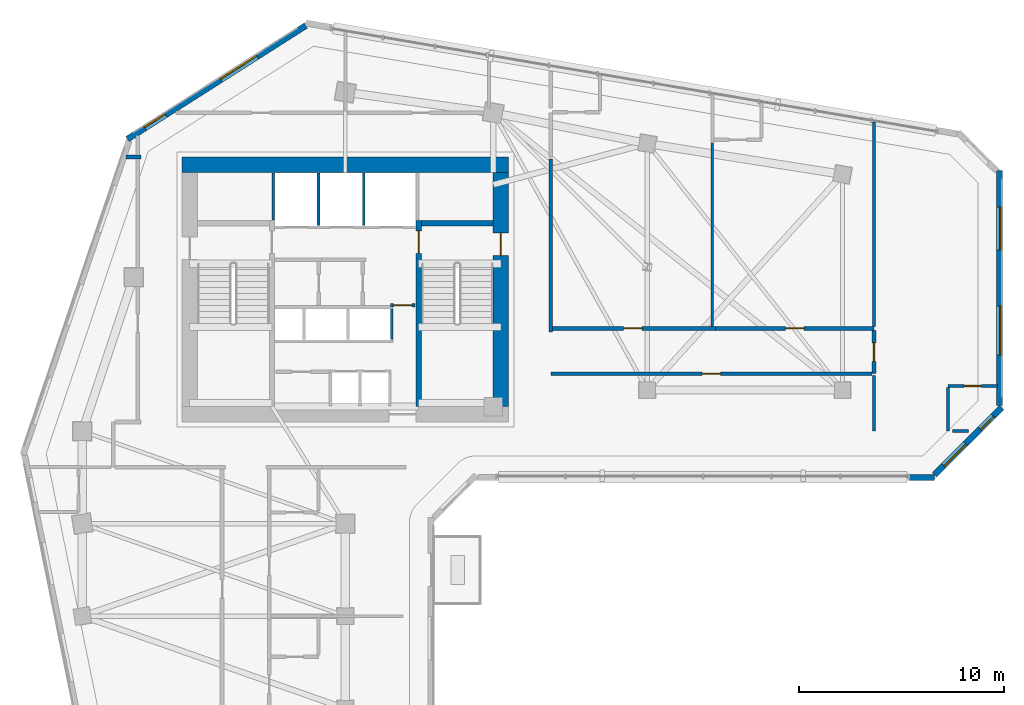
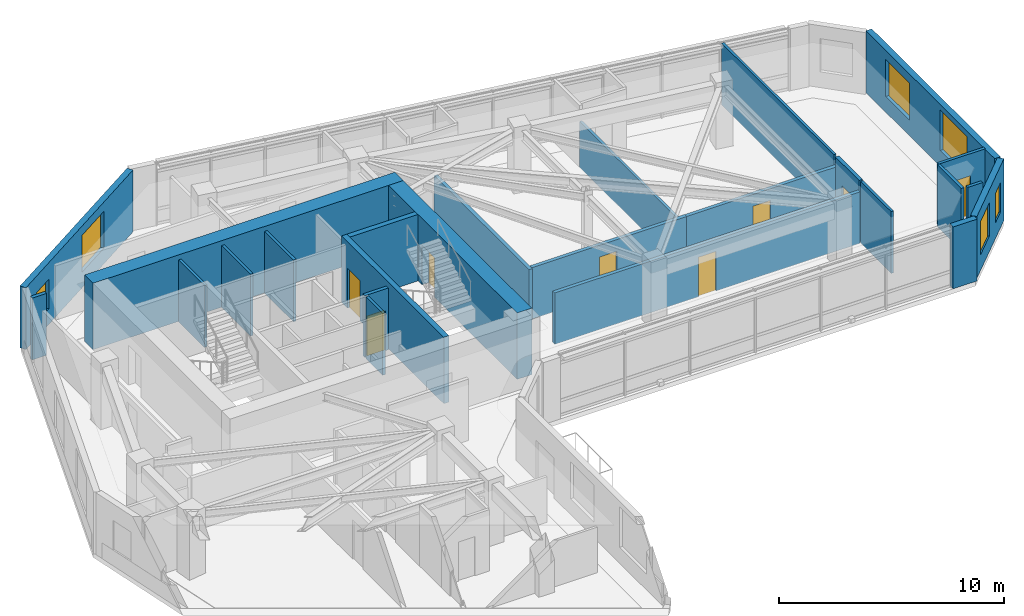
# One storey, part 6 of 10: 25 walls, 8 doors, 6 windows, 14 openings.
"""IFC4 building model written with IfcOpenShell, lengths in metres."""

from ifc_helpers import new_model, si_unit, direction, frame, frame_2d, origin, place, context, subcontext, project, spatial, rectangle, extrude, source, transform, mapped, material, layer, layer_set, type_object, element, fill, save


model = new_model("IFC4")

# Units and contexts
model_context = context("Model", 3, precision=1e-05, world=origin(), true_north=direction((0.0, 1.0)))
body_context = subcontext(model_context, "Body", "Model", "MODEL_VIEW")
ifc_project = project(units=[si_unit("LENGTHUNIT", "METRE"), si_unit("AREAUNIT", "SQUARE_METRE"), si_unit("VOLUMEUNIT", "CUBIC_METRE"), si_unit("PLANEANGLEUNIT", "RADIAN"), si_unit("MASSUNIT", "GRAM", prefix="KILO")], contexts=[model_context])

# Site, building, storey
site_placement = place(None, origin())
site = spatial("IfcSite", under=ifc_project, at=site_placement, CompositionType="ELEMENT")
building_placement = place(site_placement, origin())
building = spatial("IfcBuilding", under=site, at=building_placement, Name="Calvemar Wedge Station Tower", CompositionType="ELEMENT")
storey_placement = place(building_placement, frame((0.0, 0.0, 146.60009765625)))
storey = spatial("IfcBuildingStorey", under=building, at=storey_placement, Name="L36", CompositionType="ELEMENT", Elevation=146.60009765625)

# Wall, opening, door
ifc_material_1 = material(Name="Concrete C50", Category="concrete")
ifc_layer_1 = layer(ifc_material_1, 0.260009765625)
ifc_layer_set_1 = layer_set([ifc_layer_1], Name="Concrete C50")
wall_type_1 = type_object("IfcWallType", Name="SW-CORE-260", PredefinedType="SHEAR", material=ifc_layer_set_1)
wall_1_placement = place(storey_placement, frame((27.3701171875, 34.199951171875, 0.0), z_axis=(0.0, 0.0, 1.0), x_axis=(0.0, 1.0, 0.0)))
wall_1 = element("IfcWall", 1, at=wall_1_placement, inside=storey, type_object=wall_type_1, Name="Storey L36 Core Shear Wall SPINE-E", PredefinedType="SHEAR", context=body_context, shape_type="SweptSolid", body=[
    extrude(rectangle(XDim=9.06005859375, YDim=0.260009765625, at=frame_2d((4.530029296875, 0.0))), origin(), (0.0, 0.0, 1.0), 3.599853515625),
])
shared_shape_1 = source(origin(), body_context, "Body", "SweptSolid", [
    extrude(rectangle(XDim=1.10009765625, YDim=2.14990234375, at=frame_2d((0.550048828125, 1.074951171875))), frame((0.0, 0.14013671875, 0.0), z_axis=(0.0, -1.0, 0.0), x_axis=(1.0, 0.0, 0.0)), (0.0, 0.0, 1.0), 0.280029296875),
])
opening_1_placement = place(wall_1_placement, frame((7.449951171875, 0.0, 0.0)))
opening_1 = element("IfcOpeningElement", 2, at=opening_1_placement, cuts=wall_1, Name="Opening FD-90", PredefinedType="OPENING", context=body_context, shape_type="MappedRepresentation", body=[
    mapped(shared_shape_1, transform((0.0, 0.0, 0.0), scale=1.0)),
])
ifc_material_2 = material(Name="Galvanized fire-rated steel door leaf P-90", Category="steel")
door_type_1 = type_object("IfcDoorType", Name="DR-FD90-1100", OperationType="NOTDEFINED", PredefinedType="DOOR", material=ifc_material_2)
shared_shape_2 = source(origin(), body_context, "Body", "SweptSolid", [
    extrude(rectangle(XDim=1.10009765625, YDim=2.14990234375, at=frame_2d((0.550048828125, 1.074951171875))), frame((0.0, 0.02490234375, 0.0), z_axis=(0.0, -1.0, 0.0), x_axis=(1.0, 0.0, 0.0)), (0.0, 0.0, 1.0), 0.050048828125),
])
door_1_placement = place(opening_1_placement, origin())
door_1 = element("IfcDoor", 3, at=door_1_placement, inside=storey, type_object=door_type_1, Name="L36 FF Lobby to Stair ST-C2 Door", OperationType="SINGLE_SWING_LEFT", OverallHeight=2.14990234375, OverallWidth=1.10009765625, PredefinedType="DOOR", context=body_context, shape_type="MappedRepresentation", body=[
    mapped(shared_shape_2, transform((0.0, 0.0, 0.0), scale=1.0)),
])
fill(opening_1, door_1)

# Walls
wall_2_placement = place(storey_placement, frame((27.5, 43.1298828125, 0.0), z_axis=(0.0, 0.0, 1.0), x_axis=(1.0, 0.0, 0.0)))
element("IfcWall", 4, at=wall_2_placement, inside=storey, type_object=wall_type_1, Name="Storey L36 Core Shear Wall STC2-N", PredefinedType="SHEAR", context=body_context, shape_type="SweptSolid", body=[
    extrude(rectangle(XDim=3.5, YDim=0.260009765625, at=frame_2d((1.75, 0.0))), origin(), (0.0, 0.0, 1.0), 3.599853515625),
])
ifc_material_3 = material(Name="Concrete C70", Category="concrete")
ifc_layer_2 = layer(ifc_material_3, 0.75)
ifc_layer_set_2 = layer_set([ifc_layer_2], Name="Concrete C70")
wall_type_2 = type_object("IfcWallType", Name="SW-CORE-750", PredefinedType="SHEAR", material=ifc_layer_set_2)
wall_3_placement = place(storey_placement, frame((15.85009765625, 45.97509765625, 0.0), z_axis=(0.0, 0.0, 1.0), x_axis=(1.0, 0.0, 0.0)))
element("IfcWall", 5, at=wall_3_placement, inside=storey, type_object=wall_type_2, Name="Storey L36 Core Shear Wall N", PredefinedType="SHEAR", context=body_context, shape_type="SweptSolid", body=[
    extrude(rectangle(XDim=15.89990234375, YDim=0.75, at=frame_2d((7.949951171875, 0.0))), origin(), (0.0, 0.0, 1.0), 3.599853515625),
])

# Wall, opening, door
wall_4_placement = place(storey_placement, frame((31.375, 34.199951171875, 0.0), z_axis=(0.0, 0.0, 1.0), x_axis=(0.0, 1.0, 0.0)))
wall_4 = element("IfcWall", 6, at=wall_4_placement, inside=storey, type_object=wall_type_2, Name="Storey L36 Core Shear Wall E", PredefinedType="SHEAR", context=body_context, shape_type="SweptSolid", body=[
    extrude(rectangle(XDim=11.400146484375, YDim=0.75, at=frame_2d((5.7001953125, 0.0))), origin(), (0.0, 0.0, 1.0), 3.599853515625),
])
shared_shape_3 = source(origin(), body_context, "Body", "SweptSolid", [
    extrude(rectangle(XDim=1.10009765625, YDim=2.14990234375, at=frame_2d((0.550048828125, 1.074951171875))), frame((0.0, 0.385009765625, 0.0), z_axis=(0.0, -1.0, 0.0), x_axis=(1.0, 0.0, 0.0)), (0.0, 0.0, 1.0), 0.77001953125),
])
opening_2_placement = place(wall_4_placement, frame((7.35009765625, 0.0, 0.0)))
opening_2 = element("IfcOpeningElement", 7, at=opening_2_placement, cuts=wall_4, Name="Opening FD-90", PredefinedType="OPENING", context=body_context, shape_type="MappedRepresentation", body=[
    mapped(shared_shape_3, transform((0.0, 0.0, 0.0), scale=1.0)),
])
door_2_placement = place(opening_2_placement, origin())
door_2 = element("IfcDoor", 8, at=door_2_placement, inside=storey, type_object=door_type_1, Name="L36 East Corridor to Exit Stair ST-C2 Door", OperationType="SINGLE_SWING_LEFT", OverallHeight=2.14990234375, OverallWidth=1.10009765625, PredefinedType="DOOR", context=body_context, shape_type="MappedRepresentation", body=[
    mapped(shared_shape_2, transform((0.0, 0.0, 0.0), scale=1.0)),
])
fill(opening_2, door_2)

ifc_material_4 = material(Name="Double-stud fire-rated corridor partition")
ifc_layer_3 = layer(ifc_material_4, 0.179931640625)
ifc_layer_set_3 = layer_set([ifc_layer_3], Name="Double-stud fire-rated corridor partition")
wall_type_3 = type_object("IfcWallType", Name="W-CORR-180", PredefinedType="PARTITIONING", material=ifc_layer_set_3)
wall_5_placement = place(storey_placement, frame((27.199951171875, 39.1298828125, 0.0), z_axis=(0.0, 0.0, 1.0), x_axis=(-1.0, 0.0, 0.0)))
wall_5 = element("IfcWall", 9, at=wall_5_placement, inside=storey, type_object=wall_type_3, Name="Storey L36 Interior Partition WL-L36-005", PredefinedType="PARTITIONING", context=body_context, shape_type="SweptSolid", body=[
    extrude(rectangle(XDim=1.2099609375, YDim=0.179931640625, at=frame_2d((0.60498046875, 0.0))), origin(), (0.0, 0.0, 1.0), 3.349853515625),
])
shared_shape_4 = source(origin(), body_context, "Body", "SweptSolid", [
    extrude(rectangle(XDim=0.89990234375, YDim=2.14990234375, at=frame_2d((0.449951171875, 1.074951171875))), frame((0.0, 0.10009765625, 0.0), z_axis=(0.0, -1.0, 0.0), x_axis=(1.0, 0.0, 0.0)), (0.0, 0.0, 1.0), 0.199951171875),
])
opening_3_placement = place(wall_5_placement, frame((0.155029296875, 0.0, 0.0)))
opening_3 = element("IfcOpeningElement", 10, at=opening_3_placement, cuts=wall_5, Name="Opening FD-60", PredefinedType="OPENING", context=body_context, shape_type="MappedRepresentation", body=[
    mapped(shared_shape_4, transform((0.0, 0.0, 0.0), scale=1.0)),
])
ifc_material_5 = material(Name="Fire-rated acoustic timber-core entrance door EI 60", Category="wood")
door_type_2 = type_object("IfcDoorType", Name="DR-FD60-900", OperationType="NOTDEFINED", PredefinedType="DOOR", material=ifc_material_5)
shared_shape_5 = source(origin(), body_context, "Body", "SweptSolid", [
    extrude(rectangle(XDim=0.89990234375, YDim=2.14990234375, at=frame_2d((0.449951171875, 1.074951171875))), frame((0.0, 0.02490234375, 0.0), z_axis=(0.0, -1.0, 0.0), x_axis=(1.0, 0.0, 0.0)), (0.0, 0.0, 1.0), 0.050048828125),
])
door_3_placement = place(opening_3_placement, origin())
door_3 = element("IfcDoor", 11, at=door_3_placement, inside=storey, type_object=door_type_2, Name="L36 Core Service Lobby Door", OperationType="SINGLE_SWING_RIGHT", OverallHeight=2.14990234375, OverallWidth=0.89990234375, PredefinedType="DOOR", context=body_context, shape_type="MappedRepresentation", body=[
    mapped(shared_shape_5, transform((0.0, 0.0, 0.0), scale=1.0)),
])
fill(opening_3, door_3)

# Walls
wall_6_placement = place(storey_placement, frame((13.860107421875, 46.35009765625, 0.0), z_axis=(0.0, 0.0, 1.0), x_axis=(-1.0, 0.0, 0.0)))
element("IfcWall", 12, at=wall_6_placement, inside=storey, type_object=wall_type_3, Name="Storey L36 Interior Partition WL-L36-013", PredefinedType="PARTITIONING", context=body_context, shape_type="SweptSolid", body=[
    extrude(rectangle(XDim=0.73486328125, YDim=0.179931640625, at=frame_2d((0.367431640625, 0.0))), origin(), (0.0, 0.0, 1.0), 3.349853515625),
])
wall_7_placement = place(storey_placement, frame((33.800048828125, 46.256103515625, 0.0), z_axis=(0.0, 0.0, 1.0), x_axis=(0.0, -1.0, 0.0)))
element("IfcWall", 13, at=wall_7_placement, inside=storey, type_object=wall_type_3, Name="Storey L36 Interior Partition WL-L36-017", PredefinedType="PARTITIONING", context=body_context, shape_type="SweptSolid", body=[
    extrude(rectangle(XDim=8.416015625, YDim=0.179931640625, at=frame_2d((4.2080078125, 0.0))), origin(), (0.0, 0.0, 1.0), 2.787841796875),
])

# Wall, opening, door
wall_8_placement = place(storey_placement, frame((33.89404296875, 38.0, 0.0), z_axis=(0.0, 0.0, 1.0), x_axis=(1.0, 0.0, 0.0)))
wall_8 = element("IfcWall", 14, at=wall_8_placement, inside=storey, type_object=wall_type_3, Name="Storey L36 Interior Partition WL-L36-021", PredefinedType="PARTITIONING", context=body_context, shape_type="SweptSolid", body=[
    extrude(rectangle(XDim=7.932861328125, YDim=0.179931640625, at=frame_2d((3.96630859375, 0.0))), origin(), (0.0, 0.0, 1.0), 2.787841796875),
])
opening_4_placement = place(wall_8_placement, frame((3.455322265625, 0.0, 0.0)))
opening_4 = element("IfcOpeningElement", 15, at=opening_4_placement, cuts=wall_8, Name="Opening FD-60", PredefinedType="OPENING", context=body_context, shape_type="MappedRepresentation", body=[
    mapped(shared_shape_4, transform((0.0, 0.0, 0.0), scale=1.0)),
])
door_4_placement = place(opening_4_placement, origin())
door_4 = element("IfcDoor", 16, at=door_4_placement, inside=storey, type_object=door_type_2, Name="L36 Hotel Suite Door", OperationType="SINGLE_SWING_RIGHT", OverallHeight=2.14990234375, OverallWidth=0.89990234375, PredefinedType="DOOR", context=body_context, shape_type="MappedRepresentation", body=[
    mapped(shared_shape_5, transform((0.0, 0.0, 0.0), scale=1.0)),
])
fill(opening_4, door_4)

wall_9_placement = place(storey_placement, frame((41.8291015625, 38.0, 0.0), z_axis=(0.0, 0.0, 1.0), x_axis=(1.0, 0.0, 0.0)))
wall_9 = element("IfcWall", 17, at=wall_9_placement, inside=storey, type_object=wall_type_3, Name="Storey L36 Interior Partition WL-L36-022", PredefinedType="PARTITIONING", context=body_context, shape_type="SweptSolid", body=[
    extrude(rectangle(XDim=7.705810546875, YDim=0.179931640625, at=frame_2d((3.85302734375, 0.0))), origin(), (0.0, 0.0, 1.0), 2.787841796875),
])
opening_5_placement = place(wall_9_placement, frame((3.403076171875, 0.0, 0.0)))
opening_5 = element("IfcOpeningElement", 18, at=opening_5_placement, cuts=wall_9, Name="Opening FD-60", PredefinedType="OPENING", context=body_context, shape_type="MappedRepresentation", body=[
    mapped(shared_shape_4, transform((0.0, 0.0, 0.0), scale=1.0)),
])
door_5_placement = place(opening_5_placement, origin())
door_5 = element("IfcDoor", 19, at=door_5_placement, inside=storey, type_object=door_type_2, Name="L36 Hotel Suite Door", OperationType="SINGLE_SWING_RIGHT", OverallHeight=2.14990234375, OverallWidth=0.89990234375, PredefinedType="DOOR", context=body_context, shape_type="MappedRepresentation", body=[
    mapped(shared_shape_5, transform((0.0, 0.0, 0.0), scale=1.0)),
])
fill(opening_5, door_5)

wall_10_placement = place(storey_placement, frame((49.534912109375, 37.906005859375, 0.0), z_axis=(0.0, 0.0, 1.0), x_axis=(0.0, -1.0, 0.0)))
wall_10 = element("IfcWall", 20, at=wall_10_placement, inside=storey, type_object=wall_type_3, Name="Storey L36 Interior Partition WL-L36-023", PredefinedType="PARTITIONING", context=body_context, shape_type="SweptSolid", body=[
    extrude(rectangle(XDim=2.10595703125, YDim=0.179931640625, at=frame_2d((1.052978515625, 0.0))), origin(), (0.0, 0.0, 1.0), 3.349853515625),
])
opening_6_placement = place(wall_10_placement, frame((0.60302734375, 0.0, 0.0)))
opening_6 = element("IfcOpeningElement", 21, at=opening_6_placement, cuts=wall_10, Name="Opening FD-60", PredefinedType="OPENING", context=body_context, shape_type="MappedRepresentation", body=[
    mapped(shared_shape_4, transform((0.0, 0.0, 0.0), scale=1.0)),
])
door_6_placement = place(opening_6_placement, origin())
door_6 = element("IfcDoor", 22, at=door_6_placement, inside=storey, type_object=door_type_2, Name="L36 Hotel Suite Door", OperationType="SINGLE_SWING_RIGHT", OverallHeight=2.14990234375, OverallWidth=0.89990234375, PredefinedType="DOOR", context=body_context, shape_type="MappedRepresentation", body=[
    mapped(shared_shape_5, transform((0.0, 0.0, 0.0), scale=1.0)),
])
fill(opening_6, door_6)

wall_11_placement = place(storey_placement, frame((49.44091796875, 35.800048828125, 0.0), z_axis=(0.0, 0.0, 1.0), x_axis=(-1.0, 0.0, 0.0)))
wall_11 = element("IfcWall", 23, at=wall_11_placement, inside=storey, type_object=wall_type_3, Name="Storey L36 Interior Partition WL-L36-024", PredefinedType="PARTITIONING", context=body_context, shape_type="SweptSolid", body=[
    extrude(rectangle(XDim=15.640869140625, YDim=0.179931640625, at=frame_2d((7.8203125, 0.0))), origin(), (0.0, 0.0, 1.0), 2.787841796875),
])
opening_7_placement = place(wall_11_placement, frame((7.37060546875, 0.0, 0.0)))
opening_7 = element("IfcOpeningElement", 24, at=opening_7_placement, cuts=wall_11, Name="Opening D-01", PredefinedType="OPENING", context=body_context, shape_type="MappedRepresentation", body=[
    mapped(shared_shape_4, transform((0.0, 0.0, 0.0), scale=1.0)),
])
ifc_material_6 = material(Name="Architectural hardwood acoustic swing door", Category="wood")
door_type_3 = type_object("IfcDoorType", Name="DR-INT-900", OperationType="NOTDEFINED", PredefinedType="DOOR", material=ifc_material_6)
shared_shape_6 = source(origin(), body_context, "Body", "SweptSolid", [
    extrude(rectangle(XDim=0.89990234375, YDim=2.14990234375, at=frame_2d((0.449951171875, 1.074951171875))), frame((0.0, 0.02490234375, 0.0), z_axis=(0.0, -1.0, 0.0), x_axis=(1.0, 0.0, 0.0)), (0.0, 0.0, 1.0), 0.050048828125),
])
door_7_placement = place(opening_7_placement, origin())
door_7 = element("IfcDoor", 25, at=door_7_placement, inside=storey, type_object=door_type_3, Name="L36 Meeting Room Door", OperationType="SINGLE_SWING_LEFT", OverallHeight=2.14990234375, OverallWidth=0.89990234375, PredefinedType="DOOR", context=body_context, shape_type="MappedRepresentation", body=[
    mapped(shared_shape_6, transform((0.0, 0.0, 0.0), scale=1.0)),
])
fill(opening_7, door_7)

# Wall
ifc_material_7 = material(Name="Precast concrete C45", Category="concrete")
ifc_layer_4 = layer(ifc_material_7, 0.300048828125)
ifc_layer_set_4 = layer_set([ifc_layer_4], Name="Precast concrete C45")
wall_type_4 = type_object("IfcWallType", Name="W-EXT-GFRC-300", PredefinedType="SOLIDWALL", material=ifc_layer_set_4)
wall_12_placement = place(storey_placement, frame((51.260498046875, 30.741943359375, 0.0), z_axis=(0.0, 0.0, 1.0), x_axis=(1.0, 0.0, 0.0)))
element("IfcWall", 26, at=wall_12_placement, inside=storey, type_object=wall_type_4, Name="Storey L36 Bronze GFRC Corner Pier 6B", PredefinedType="SOLIDWALL", context=body_context, shape_type="SweptSolid", body=[
    extrude(rectangle(XDim=1.227294921875, YDim=0.300048828125, at=frame_2d((0.61376953125, 0.0))), origin(), (0.0, 0.0, 1.0), 3.349853515625),
])

# Wall, openings, windows
wall_13_placement = place(storey_placement, frame((52.475830078125, 30.8798828125, 0.0), z_axis=(0.0, 0.0, 1.0), x_axis=(0.707106781187, 0.707106781187, 0.0)))
wall_13 = element("IfcWall", 27, at=wall_13_placement, inside=storey, type_object=wall_type_4, Name="Storey L36 Bronze GFRC Exterior Wall 7", PredefinedType="SOLIDWALL", context=body_context, shape_type="SweptSolid", body=[
    extrude(rectangle(XDim=4.638916015625, YDim=0.300048828125, at=frame_2d((2.3193359375, 0.0))), origin(), (0.0, 0.0, 1.0), 3.349853515625),
])
shared_shape_7 = source(origin(), body_context, "Body", "SweptSolid", [
    extrude(rectangle(XDim=1.5, YDim=1.800048828125, at=frame_2d((0.75, 0.89990234375))), frame((0.0, 0.16015625, 0.0), z_axis=(0.0, -1.0, 0.0), x_axis=(1.0, 0.0, 0.0)), (0.0, 0.0, 1.0), 0.320068359375),
])
opening_8_placement = place(wall_13_placement, frame((0.632080078125, 0.0, 0.85009765625)))
opening_8 = element("IfcOpeningElement", 28, at=opening_8_placement, cuts=wall_13, Name="Opening W3", PredefinedType="OPENING", context=body_context, shape_type="MappedRepresentation", body=[
    mapped(shared_shape_7, transform((0.0, 0.0, 0.0), scale=1.0)),
])
shared_shape_8 = source(origin(), body_context, "Body", "SweptSolid", [
    extrude(rectangle(XDim=0.89990234375, YDim=1.60009765625, at=frame_2d((0.449951171875, 0.800048828125))), frame((0.0, 0.16015625, 0.0), z_axis=(0.0, -1.0, 0.0), x_axis=(1.0, 0.0, 0.0)), (0.0, 0.0, 1.0), 0.320068359375),
])
opening_9_placement = place(wall_13_placement, frame((3.15087890625, 0.0, 0.85009765625)))
opening_9 = element("IfcOpeningElement", 29, at=opening_9_placement, cuts=wall_13, Name="Opening W7", PredefinedType="OPENING", context=body_context, shape_type="MappedRepresentation", body=[
    mapped(shared_shape_8, transform((0.0, 0.0, 0.0), scale=1.0)),
])
ifc_material_8 = material(Name="Low-E laminated insulated glass", Category="glass")
window_type_1 = type_object("IfcWindowType", Name="WIN-EXT-3", PartitioningType="SINGLE_PANEL", PredefinedType="WINDOW", material=ifc_material_8)
shared_shape_9 = source(origin(), body_context, "Body", "SweptSolid", [
    extrude(rectangle(XDim=1.5, YDim=1.800048828125, at=frame_2d((0.75, 0.89990234375))), frame((0.0, -0.014892578125, 0.0), z_axis=(0.0, -1.0, 0.0), x_axis=(1.0, 0.0, 0.0)), (0.0, 0.0, 1.0), 0.06005859375),
])
window_1_placement = place(opening_8_placement, origin())
window_1 = element("IfcWindow", 30, at=window_1_placement, inside=storey, type_object=window_type_1, Name="Storey L36 Recessed Window 7.1", OverallHeight=1.800048828125, OverallWidth=1.5, PartitioningType="SINGLE_PANEL", PredefinedType="WINDOW", context=body_context, shape_type="MappedRepresentation", body=[
    mapped(shared_shape_9, transform((0.0, 0.0, 0.0), scale=1.0)),
])
fill(opening_8, window_1)
window_type_2 = type_object("IfcWindowType", Name="WIN-EXT-7", PartitioningType="SINGLE_PANEL", PredefinedType="WINDOW", material=ifc_material_8)
shared_shape_10 = source(origin(), body_context, "Body", "SweptSolid", [
    extrude(rectangle(XDim=0.89990234375, YDim=1.60009765625, at=frame_2d((0.449951171875, 0.800048828125))), frame((0.0, -0.014892578125, 0.0), z_axis=(0.0, -1.0, 0.0), x_axis=(1.0, 0.0, 0.0)), (0.0, 0.0, 1.0), 0.06005859375),
])
window_2_placement = place(opening_9_placement, origin())
window_2 = element("IfcWindow", 31, at=window_2_placement, inside=storey, type_object=window_type_2, Name="Storey L36 Recessed Window 7.2", OverallHeight=1.60009765625, OverallWidth=0.89990234375, PartitioningType="SINGLE_PANEL", PredefinedType="WINDOW", context=body_context, shape_type="MappedRepresentation", body=[
    mapped(shared_shape_10, transform((0.0, 0.0, 0.0), scale=1.0)),
])
fill(opening_9, window_2)

wall_14_placement = place(storey_placement, frame((55.64990234375, 34.249267578125, 0.0), z_axis=(0.0, 0.0, 1.0), x_axis=(0.0, 1.0, 0.0)))
wall_14 = element("IfcWall", 32, at=wall_14_placement, inside=storey, type_object=wall_type_4, Name="Storey L36 Bronze GFRC Exterior Wall 8", PredefinedType="SOLIDWALL", context=body_context, shape_type="SweptSolid", body=[
    extrude(rectangle(XDim=11.4306640625, YDim=0.300048828125, at=frame_2d((5.71533203125, 0.0))), origin(), (0.0, 0.0, 1.0), 3.349853515625),
])
shared_shape_11 = source(origin(), body_context, "Body", "SweptSolid", [
    extrude(rectangle(XDim=2.39990234375, YDim=2.199951171875, at=frame_2d((1.199951171875, 1.10009765625))), frame((0.0, 0.16015625, 0.0), z_axis=(0.0, -1.0, 0.0), x_axis=(1.0, 0.0, 0.0)), (0.0, 0.0, 1.0), 0.320068359375),
])
opening_10_placement = place(wall_14_placement, frame((2.4560546875, 0.0, 0.85009765625)))
opening_10 = element("IfcOpeningElement", 33, at=opening_10_placement, cuts=wall_14, Name="Opening W1", PredefinedType="OPENING", context=body_context, shape_type="MappedRepresentation", body=[
    mapped(shared_shape_11, transform((0.0, 0.0, 0.0), scale=1.0)),
])
shared_shape_12 = source(origin(), body_context, "Body", "SweptSolid", [
    extrude(rectangle(XDim=2.10009765625, YDim=2.0, at=frame_2d((1.050048828125, 1.0))), frame((0.0, 0.16015625, 0.0), z_axis=(0.0, -1.0, 0.0), x_axis=(1.0, 0.0, 0.0)), (0.0, 0.0, 1.0), 0.320068359375),
])
opening_11_placement = place(wall_14_placement, frame((7.575927734375, 0.0, 0.85009765625)))
opening_11 = element("IfcOpeningElement", 34, at=opening_11_placement, cuts=wall_14, Name="Opening W4", PredefinedType="OPENING", context=body_context, shape_type="MappedRepresentation", body=[
    mapped(shared_shape_12, transform((0.0, 0.0, 0.0), scale=1.0)),
])
window_type_3 = type_object("IfcWindowType", Name="WIN-EXT-4", PartitioningType="SINGLE_PANEL", PredefinedType="WINDOW", material=ifc_material_8)
shared_shape_13 = source(origin(), body_context, "Body", "SweptSolid", [
    extrude(rectangle(XDim=2.10009765625, YDim=2.0, at=frame_2d((1.050048828125, 1.0))), frame((0.0, -0.014892578125, 0.0), z_axis=(0.0, -1.0, 0.0), x_axis=(1.0, 0.0, 0.0)), (0.0, 0.0, 1.0), 0.06005859375),
])
window_3_placement = place(opening_11_placement, origin())
window_3 = element("IfcWindow", 35, at=window_3_placement, inside=storey, type_object=window_type_3, Name="Storey L36 Recessed Window 8.2", OverallHeight=2.0, OverallWidth=2.10009765625, PartitioningType="SINGLE_PANEL", PredefinedType="WINDOW", context=body_context, shape_type="MappedRepresentation", body=[
    mapped(shared_shape_13, transform((0.0, 0.0, 0.0), scale=1.0)),
])
fill(opening_11, window_3)
window_type_4 = type_object("IfcWindowType", Name="WIN-EXT-1", PartitioningType="SINGLE_PANEL", PredefinedType="WINDOW", material=ifc_material_8)
shared_shape_14 = source(origin(), body_context, "Body", "SweptSolid", [
    extrude(rectangle(XDim=2.39990234375, YDim=2.199951171875, at=frame_2d((1.199951171875, 1.10009765625))), frame((0.0, -0.014892578125, 0.0), z_axis=(0.0, -1.0, 0.0), x_axis=(1.0, 0.0, 0.0)), (0.0, 0.0, 1.0), 0.06005859375),
])
window_4_placement = place(opening_10_placement, origin())
window_4 = element("IfcWindow", 36, at=window_4_placement, inside=storey, type_object=window_type_4, Name="Storey L36 Recessed Window 8.1", OverallHeight=2.199951171875, OverallWidth=2.39990234375, PartitioningType="SINGLE_PANEL", PredefinedType="WINDOW", context=body_context, shape_type="MappedRepresentation", body=[
    mapped(shared_shape_14, transform((0.0, 0.0, 0.0), scale=1.0)),
])
fill(opening_10, window_4)

wall_15_placement = place(storey_placement, frame((21.874755859375, 52.742431640625, 0.0), z_axis=(0.0, 0.0, 1.0), x_axis=(-0.843662465249, -0.536873956092, 0.0)))
wall_15 = element("IfcWall", 37, at=wall_15_placement, inside=storey, type_object=wall_type_4, Name="Storey L36 Bronze GFRC Exterior Wall 11", PredefinedType="SOLIDWALL", context=body_context, shape_type="SweptSolid", body=[
    extrude(rectangle(XDim=10.283935546875, YDim=0.300048828125, at=frame_2d((5.14208984375, 0.0))), origin(), (0.0, 0.0, 1.0), 3.349853515625),
])
opening_12_placement = place(wall_15_placement, frame((2.805908203125, 0.0, 0.85009765625)))
opening_12 = element("IfcOpeningElement", 38, at=opening_12_placement, cuts=wall_15, Name="Opening W4", PredefinedType="OPENING", context=body_context, shape_type="MappedRepresentation", body=[
    mapped(shared_shape_12, transform((0.0, 0.0, 0.0), scale=1.0)),
])
shared_shape_15 = source(origin(), body_context, "Body", "SweptSolid", [
    extrude(rectangle(XDim=1.199951171875, YDim=1.60009765625, at=frame_2d((0.60009765625, 0.800048828125))), frame((0.0, 0.16015625, 0.0), z_axis=(0.0, -1.0, 0.0), x_axis=(1.0, 0.0, 0.0)), (0.0, 0.0, 1.0), 0.320068359375),
])
opening_13_placement = place(wall_15_placement, frame((8.0869140625, 0.0, 0.85009765625)))
opening_13 = element("IfcOpeningElement", 39, at=opening_13_placement, cuts=wall_15, Name="Opening W5", PredefinedType="OPENING", context=body_context, shape_type="MappedRepresentation", body=[
    mapped(shared_shape_15, transform((0.0, 0.0, 0.0), scale=1.0)),
])
window_5_placement = place(opening_12_placement, origin())
window_5 = element("IfcWindow", 40, at=window_5_placement, inside=storey, type_object=window_type_3, Name="Storey L36 Recessed Window 11.1", OverallHeight=2.0, OverallWidth=2.10009765625, PartitioningType="SINGLE_PANEL", PredefinedType="WINDOW", context=body_context, shape_type="MappedRepresentation", body=[
    mapped(shared_shape_13, transform((0.0, 0.0, 0.0), scale=1.0)),
])
fill(opening_12, window_5)
window_type_5 = type_object("IfcWindowType", Name="WIN-EXT-5", PartitioningType="SINGLE_PANEL", PredefinedType="WINDOW", material=ifc_material_8)
shared_shape_16 = source(origin(), body_context, "Body", "SweptSolid", [
    extrude(rectangle(XDim=1.199951171875, YDim=1.60009765625, at=frame_2d((0.60009765625, 0.800048828125))), frame((0.0, -0.014892578125, 0.0), z_axis=(0.0, -1.0, 0.0), x_axis=(1.0, 0.0, 0.0)), (0.0, 0.0, 1.0), 0.06005859375),
])
window_6_placement = place(opening_13_placement, origin())
window_6 = element("IfcWindow", 41, at=window_6_placement, inside=storey, type_object=window_type_5, Name="Storey L36 Recessed Window 11.2", OverallHeight=1.60009765625, OverallWidth=1.199951171875, PartitioningType="SINGLE_PANEL", PredefinedType="WINDOW", context=body_context, shape_type="MappedRepresentation", body=[
    mapped(shared_shape_16, transform((0.0, 0.0, 0.0), scale=1.0)),
])
fill(opening_13, window_6)

# Walls
ifc_material_9 = material(Name="Reinforced concrete blockwork lift shaft wall", Category="masonry")
ifc_layer_5 = layer(ifc_material_9, 0.139892578125)
ifc_layer_set_5 = layer_set([ifc_layer_5], Name="Reinforced concrete blockwork lift shaft wall")
wall_type_5 = type_object("IfcWallType", Name="W-LIFT-160", PredefinedType="SOLIDWALL", material=ifc_layer_set_5)
wall_16_placement = place(storey_placement, frame((20.2900390625, 43.280029296875, 0.0), z_axis=(0.0, 0.0, 1.0), x_axis=(0.0, 1.0, 0.0)))
element("IfcWall", 42, at=wall_16_placement, inside=storey, type_object=wall_type_5, Name="Storey L36 Firefighting Lift Shaft Enclosure Wall W", PredefinedType="SOLIDWALL", context=body_context, shape_type="SweptSolid", body=[
    extrude(rectangle(XDim=2.300048828125, YDim=0.139892578125, at=frame_2d((1.14990234375, 0.0))), origin(), (0.0, 0.0, 1.0), 3.349853515625),
])
for number, where, z_axis, x_axis, name in (
    (43, (22.5, 43.02001953125, 0.0), (0.0, 0.0, 1.0), (0.0, 1.0, 0.0), "Storey L36 Firefighting Lift Shaft Enclosure Wall D1"),
    (44, (24.699951171875, 43.02001953125, 0.0), (0.0, 0.0, 1.0), (0.0, 1.0, 0.0), "Storey L36 Firefighting Lift Shaft Enclosure Wall D2"),
):
    element("IfcWall", number, at=place(storey_placement, frame(where, z_axis=z_axis, x_axis=x_axis)), inside=storey, type_object=wall_type_5, Name=name, PredefinedType="SOLIDWALL", context=body_context, shape_type="SweptSolid", body=[
        extrude(rectangle(XDim=2.56005859375, YDim=0.139892578125, at=frame_2d((1.280029296875, 0.0))), origin(), (0.0, 0.0, 1.0), 3.349853515625),
    ])
wall_17_placement = place(storey_placement, frame((26.06005859375, 37.4599609375, 0.0), z_axis=(0.0, 0.0, 1.0), x_axis=(0.0, 1.0, 0.0)))
element("IfcWall", 45, at=wall_17_placement, inside=storey, type_object=wall_type_5, Name="Storey L36 Upper Passenger Lift Shaft Wall E", PredefinedType="SOLIDWALL", context=body_context, shape_type="SweptSolid", body=[
    extrude(rectangle(XDim=1.47998046875, YDim=0.139892578125, at=frame_2d((0.739990234375, 0.0))), origin(), (0.0, 0.0, 1.0), 3.349853515625),
])
ifc_material_10 = material(Name="Insulated acoustic gypsum stud partition")
ifc_layer_6 = layer(ifc_material_10, 0.125)
ifc_layer_set_6 = layer_set([ifc_layer_6], Name="Insulated acoustic gypsum stud partition")
wall_type_6 = type_object("IfcWallType", Name="W-PART-125", PredefinedType="PARTITIONING", material=ifc_layer_set_6)
wall_18_placement = place(storey_placement, frame((41.6669921875, 47.024658203125, 0.0), z_axis=(0.0, 0.0, 1.0), x_axis=(0.0, -1.0, 0.0)))
element("IfcWall", 46, at=wall_18_placement, inside=storey, type_object=wall_type_6, Name="Storey L36 Interior Partition WL-L36-028", PredefinedType="PARTITIONING", context=body_context, shape_type="SweptSolid", body=[
    extrude(rectangle(XDim=8.9306640625, YDim=0.125, at=frame_2d((4.46533203125, 0.0))), origin(), (0.0, 0.0, 1.0), 2.491943359375),
])
wall_19_placement = place(storey_placement, frame((49.534912109375, 48.048583984375, 0.0), z_axis=(0.0, 0.0, 1.0), x_axis=(0.0, -1.0, 0.0)))
element("IfcWall", 47, at=wall_19_placement, inside=storey, type_object=wall_type_6, Name="Storey L36 Interior Partition WL-L36-031", PredefinedType="PARTITIONING", context=body_context, shape_type="SweptSolid", body=[
    extrude(rectangle(XDim=9.95458984375, YDim=0.125, at=frame_2d((4.977294921875, 0.0))), origin(), (0.0, 0.0, 1.0), 3.349853515625),
])
wall_20_placement = place(storey_placement, frame((49.534912109375, 33.0, 0.0), z_axis=(0.0, 0.0, 1.0), x_axis=(0.0, 1.0, 0.0)))
element("IfcWall", 48, at=wall_20_placement, inside=storey, type_object=wall_type_6, Name="Storey L36 Interior Partition WL-L36-034", PredefinedType="PARTITIONING", context=body_context, shape_type="SweptSolid", body=[
    extrude(rectangle(XDim=2.7060546875, YDim=0.125, at=frame_2d((1.35302734375, 0.0))), origin(), (0.0, 0.0, 1.0), 3.349853515625),
])

# Wall, opening, door
ifc_material_11 = material(Name="Moisture-resistant acoustic bathroom partition")
ifc_layer_7 = layer(ifc_material_11, 0.14990234375)
ifc_layer_set_7 = layer_set([ifc_layer_7], Name="Moisture-resistant acoustic bathroom partition")
wall_type_7 = type_object("IfcWallType", Name="W-WET-150", PredefinedType="PARTITIONING", material=ifc_layer_set_7)
wall_21_placement = place(storey_placement, frame((53.135009765625, 35.199951171875, 0.0), z_axis=(0.0, 0.0, 1.0), x_axis=(1.0, 0.0, 0.0)))
wall_21 = element("IfcWall", 49, at=wall_21_placement, inside=storey, type_object=wall_type_7, Name="Storey L36 Interior Partition WL-L36-032", PredefinedType="PARTITIONING", context=body_context, shape_type="SweptSolid", body=[
    extrude(rectangle(XDim=2.39990234375, YDim=0.14990234375, at=frame_2d((1.199951171875, 0.0))), origin(), (0.0, 0.0, 1.0), 3.349853515625),
])
shared_shape_17 = source(origin(), body_context, "Body", "SweptSolid", [
    extrude(rectangle(XDim=0.85009765625, YDim=2.14990234375, at=frame_2d((0.425048828125, 1.074951171875))), frame((0.0, 0.0849609375, 0.0), z_axis=(0.0, -1.0, 0.0), x_axis=(1.0, 0.0, 0.0)), (0.0, 0.0, 1.0), 0.169921875),
])
opening_14_placement = place(wall_21_placement, frame((0.77490234375, 0.0, 0.0)))
opening_14 = element("IfcOpeningElement", 50, at=opening_14_placement, cuts=wall_21, Name="Opening D-02", PredefinedType="OPENING", context=body_context, shape_type="MappedRepresentation", body=[
    mapped(shared_shape_17, transform((0.0, 0.0, 0.0), scale=1.0)),
])
ifc_material_12 = material(Name="Moisture-sealed bathroom hardwood swing door", Category="wood")
door_type_4 = type_object("IfcDoorType", Name="DR-WET-850", OperationType="NOTDEFINED", PredefinedType="DOOR", material=ifc_material_12)
shared_shape_18 = source(origin(), body_context, "Body", "SweptSolid", [
    extrude(rectangle(XDim=0.85009765625, YDim=2.14990234375, at=frame_2d((0.425048828125, 1.074951171875))), frame((0.0, 0.02490234375, 0.0), z_axis=(0.0, -1.0, 0.0), x_axis=(1.0, 0.0, 0.0)), (0.0, 0.0, 1.0), 0.050048828125),
])
door_8_placement = place(opening_14_placement, origin())
door_8 = element("IfcDoor", 51, at=door_8_placement, inside=storey, type_object=door_type_4, Name="L36 En-Suite Bathroom Door", OperationType="SINGLE_SWING_LEFT", OverallHeight=2.14990234375, OverallWidth=0.85009765625, PredefinedType="DOOR", context=body_context, shape_type="MappedRepresentation", body=[
    mapped(shared_shape_18, transform((0.0, 0.0, 0.0), scale=1.0)),
])
fill(opening_14, door_8)

# Walls
wall_22_placement = place(storey_placement, frame((53.135009765625, 33.0, 0.0), z_axis=(0.0, 0.0, 1.0), x_axis=(0.0, 1.0, 0.0)))
element("IfcWall", 52, at=wall_22_placement, inside=storey, type_object=wall_type_7, Name="Storey L36 Interior Partition WL-L36-033", PredefinedType="PARTITIONING", context=body_context, shape_type="SweptSolid", body=[
    extrude(rectangle(XDim=2.12109375, YDim=0.14990234375, at=frame_2d((1.060546875, 0.0))), origin(), (0.0, 0.0, 1.0), 3.349853515625),
])
wall_23_placement = place(storey_placement, frame((54.1220703125, 33.0, 0.0), z_axis=(0.0, 0.0, 1.0), x_axis=(-1.0, 0.0, 0.0)))
element("IfcWall", 53, at=wall_23_placement, inside=storey, type_object=wall_type_7, Name="Storey L36 Bathroom Enclosure Wall WL-L36-053", PredefinedType="PARTITIONING", context=body_context, shape_type="SweptSolid", body=[
    extrude(rectangle(XDim=0.76708984375, YDim=0.14990234375, at=frame_2d((0.383544921875, 0.0))), origin(), (0.0, 0.0, 1.0), 3.349853515625),
])

save(model, "model.ifc")
